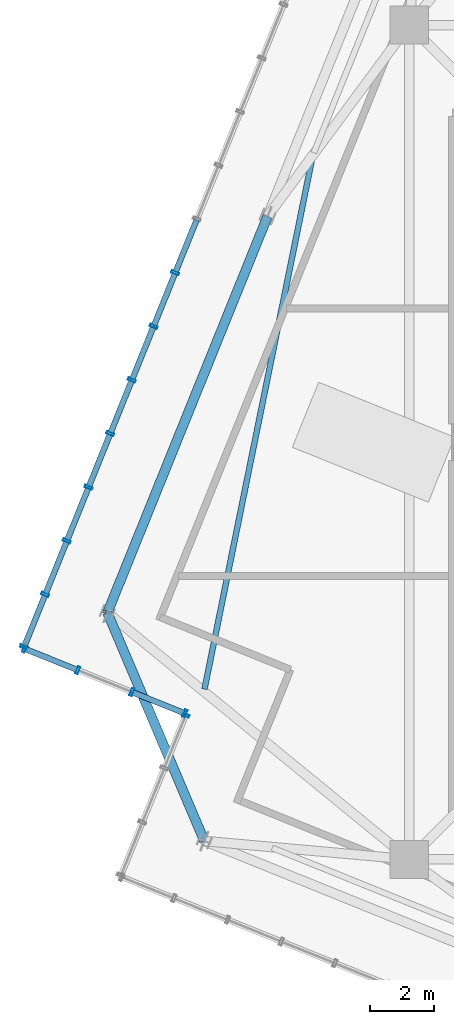
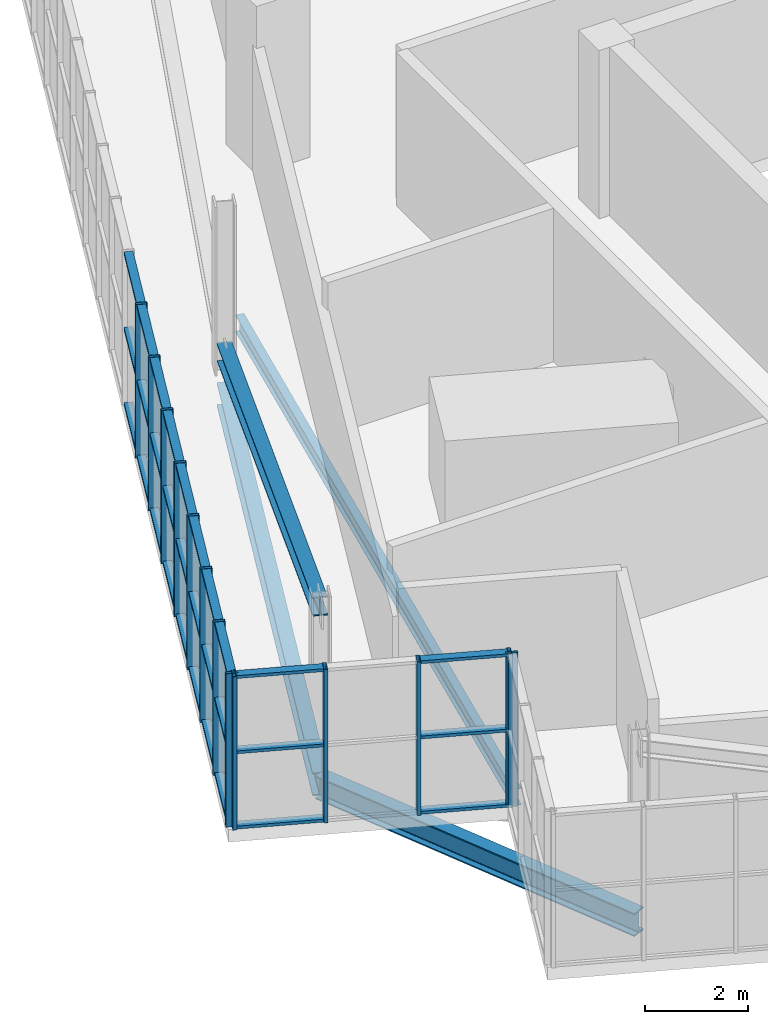
# One storey, part 6 of 26: 44 members, 3 beams, 3 elements without a shape of their own.
"""IFC4 building model written with IfcOpenShell, lengths in metres."""

from ifc_helpers import new_model, si_unit, direction, frame, origin, origin_2d, place, context, subcontext, project, spatial, hollow_rectangle, i_section, extrude, source, transform, mapped, material, layer, layer_set, material_profile, profile_set, type_object, element, aggregate, save


model = new_model("IFC4")

# Units and contexts
model_context = context("Model", 3, precision=1e-05, world=origin(), true_north=direction((0.0, 1.0)))
body_context = subcontext(model_context, "Body", "Model", "MODEL_VIEW")
ifc_project = project(units=[si_unit("LENGTHUNIT", "METRE"), si_unit("AREAUNIT", "SQUARE_METRE"), si_unit("VOLUMEUNIT", "CUBIC_METRE"), si_unit("PLANEANGLEUNIT", "RADIAN"), si_unit("MASSUNIT", "GRAM", prefix="KILO"), si_unit("THERMODYNAMICTEMPERATUREUNIT", "KELVIN")], contexts=[model_context])

# Site, building, storey
site_placement = place(None, origin())
site = spatial("IfcSite", under=ifc_project, at=site_placement, CompositionType="ELEMENT")
building_placement = place(site_placement, origin())
building = spatial("IfcBuilding", under=site, at=building_placement, Name="Kosmvard Interchange Tower", CompositionType="ELEMENT")
storey_placement = place(building_placement, frame((0.0, 0.0, 341.60009765625)))
storey = spatial("IfcBuildingStorey", under=building, at=storey_placement, Name="L84", CompositionType="ELEMENT", Elevation=341.60009765625)

# Member
ifc_material_1 = material(Name="Steel S355", Category="steel")
ifc_material_profile_1 = material_profile(ifc_material_1, i_section(OverallWidth=0.300048828125, OverallDepth=0.39990234375, WebThickness=0.013427734375, FlangeThickness=0.02392578125, FilletRadius=0.027099609375, at=origin_2d()), Name="HEB 400")
ifc_profile_set_1 = profile_set([ifc_material_profile_1], Name="Steel S355")
member_type_1 = type_object("IfcMemberType", Name="Lantern Crown Diagrid Brace HEB 400 S355", PredefinedType="BRACE", material=ifc_profile_set_1)
shared_shape_1 = source(origin(), body_context, "Body", "SweptSolid", [
    extrude(i_section(OverallWidth=0.300048828125, OverallDepth=0.39990234375, WebThickness=0.013427734375, FlangeThickness=0.02392578125, FilletRadius=0.027099609375, at=origin_2d()), origin(), (0.0, 0.0, 1.0), 13.783935546875),
])
member_1_placement = place(storey_placement, frame((-17.523681640625, 7.080078125, 0.419921875), z_axis=(-0.364177999122, -0.901367558742, 0.234330768366), x_axis=(0.927183187789, -0.374608243744, 0.0)))
element("IfcMember", 1, at=member_1_placement, inside=storey, type_object=member_type_1, Name="L84 Crown Lantern Diagrid Brace N2", PredefinedType="BRACE", context=body_context, shape_type="MappedRepresentation", body=[
    mapped(shared_shape_1, transform((0.0, 0.0, 0.0), scale=1.0)),
])

# Beams
ifc_material_profile_2 = material_profile(ifc_material_1, i_section(OverallWidth=0.300048828125, OverallDepth=0.550048828125, WebThickness=0.014892578125, FlangeThickness=0.029052734375, FilletRadius=0.027099609375, at=origin_2d()), Name="HEB 550")
ifc_profile_set_2 = profile_set([ifc_material_profile_2], Name="Steel S355")
beam_type_1 = type_object("IfcBeamType", Name="Crown Ring Cap Girder HEB 550 S355", PredefinedType="BEAM", material=ifc_profile_set_2)
shared_shape_2 = source(origin(), body_context, "Body", "SweptSolid", [
    extrude(i_section(OverallWidth=0.300048828125, OverallDepth=0.550048828125, WebThickness=0.014892578125, FlangeThickness=0.029052734375, FilletRadius=0.027099609375, at=origin_2d()), origin(), (0.0, 0.0, 1.0), 13.400146484375),
])
beam_1_placement = place(storey_placement, frame((-17.523681640625, 7.080078125, -0.5751953125), z_axis=(-0.374608243744, -0.927183187789, 0.0), x_axis=(0.927183187789, -0.374608243744, 0.0)))
element("IfcBeam", 2, at=beam_1_placement, inside=storey, type_object=beam_type_1, Name="BM-L84-PR08", PredefinedType="BEAM", context=body_context, shape_type="MappedRepresentation", body=[
    mapped(shared_shape_2, transform((0.0, 0.0, 0.0), scale=1.0)),
])
shared_shape_3 = source(origin(), body_context, "Body", "SweptSolid", [
    extrude(i_section(OverallWidth=0.300048828125, OverallDepth=0.550048828125, WebThickness=0.014892578125, FlangeThickness=0.029052734375, FilletRadius=0.027099609375, at=origin_2d()), origin(), (0.0, 0.0, 1.0), 7.778076171875),
])
beam_2_placement = place(storey_placement, frame((-22.54345703125, -5.34423828125, -0.5751953125), z_axis=(0.39071589075, -0.92051132134, 0.0), x_axis=(0.92051132134, 0.39071589075, 0.0)))
element("IfcBeam", 3, at=beam_2_placement, inside=storey, type_object=beam_type_1, Name="BM-L84-PR09", PredefinedType="BEAM", context=body_context, shape_type="MappedRepresentation", body=[
    mapped(shared_shape_3, transform((0.0, 0.0, 0.0), scale=1.0)),
])
ifc_material_profile_3 = material_profile(ifc_material_1, i_section(OverallWidth=0.179931640625, OverallDepth=0.39990234375, WebThickness=0.008544921875, FlangeThickness=0.013427734375, FilletRadius=0.02099609375, at=origin_2d()), Name="IPE 400")
ifc_profile_set_3 = profile_set([ifc_material_profile_3], Name="Steel S355")
beam_type_2 = type_object("IfcBeamType", Name="Upper-Zone Floor Joist IPE 400 S355", PredefinedType="JOIST", material=ifc_profile_set_3)
shared_shape_4 = source(origin(), body_context, "Body", "SweptSolid", [
    extrude(i_section(OverallWidth=0.179931640625, OverallDepth=0.39990234375, WebThickness=0.008544921875, FlangeThickness=0.013427734375, FilletRadius=0.02099609375, at=origin_2d()), origin(), (0.0, 0.0, 1.0), 17.0029296875),
])
beam_3_placement = place(storey_placement, frame((-16.117919921875, 8.921875, -0.5), z_axis=(-0.198882162837, -0.98002341059, 0.0), x_axis=(0.98002341059, -0.198882162837, 0.0)))
element("IfcBeam", 4, at=beam_3_placement, inside=storey, type_object=beam_type_2, Name="BM-L84-FJ06", PredefinedType="JOIST", context=body_context, shape_type="MappedRepresentation", body=[
    mapped(shared_shape_4, transform((0.0, 0.0, 0.0), scale=1.0)),
])

# Curtain wall, members
ifc_material_2 = material(Name="Architectural anodised aluminium", Category="aluminium")
ifc_layer = layer(ifc_material_2, 0.25, Name="Architectural anodised aluminium")
ifc_layer_set = layer_set([ifc_layer], Name="Architectural anodised aluminium")
curtain_wall_type = type_object("IfcCurtainWallType", Name="CW-6 Illuminated Crown Lantern Curtain Wall", PredefinedType="NOTDEFINED", material=ifc_layer_set)
curtain_wall_1_placement = place(storey_placement, origin())
curtain_wall_1 = element("IfcCurtainWall", 5, at=curtain_wall_1_placement, inside=storey, type_object=curtain_wall_type, Name="L84 Crown Lantern Glazing Face 07", PredefinedType="NOTDEFINED")
ifc_material_profile_4 = material_profile(ifc_material_2, hollow_rectangle(XDim=0.179931640625, YDim=0.070068359375, WallThickness=0.0048828125, at=origin_2d()), Name="CWT 180x70x5")
ifc_profile_set_4 = profile_set([ifc_material_profile_4], Name="Architectural anodised aluminium")
member_type_2 = type_object("IfcMemberType", Name="Heavy Lantern CW Transom 180x70 Aluminium", PredefinedType="USERDEFINED", material=ifc_profile_set_4)
shared_shape_5 = source(origin(), body_context, "Body", "SweptSolid", [
    extrude(hollow_rectangle(XDim=0.179931640625, YDim=0.070068359375, WallThickness=0.0048828125, at=origin_2d()), origin(), (0.0, 0.0, 1.0), 1.694091796875),
])
member_2_placement = place(storey_placement, frame((-24.508544921875, -4.8154296875, 0.034912109375), z_axis=(-0.374544061831, -0.927209116514, 0.0), x_axis=(0.927209116514, -0.374544061831, 0.0)))
member_2 = element("IfcMember", 6, at=member_2_placement, type_object=member_type_2, Name="CW-6 transom 17.1", ObjectType="TRANSOM", PredefinedType="USERDEFINED", context=body_context, shape_type="MappedRepresentation", body=[
    mapped(shared_shape_5, transform((0.0, 0.0, 0.0), scale=1.0)),
])
member_3_placement = place(storey_placement, frame((-24.508544921875, -4.8154296875, 1.824951171875), z_axis=(-0.374544061831, -0.927209116514, 0.0), x_axis=(0.927209116514, -0.374544061831, 0.0)))
member_3 = element("IfcMember", 7, at=member_3_placement, type_object=member_type_2, Name="CW-6 transom 17.2", ObjectType="TRANSOM", PredefinedType="USERDEFINED", context=body_context, shape_type="MappedRepresentation", body=[
    mapped(shared_shape_5, transform((0.0, 0.0, 0.0), scale=1.0)),
])
member_4_placement = place(storey_placement, frame((-24.508544921875, -4.8154296875, 3.614990234375), z_axis=(-0.374544061831, -0.927209116514, 0.0), x_axis=(0.927209116514, -0.374544061831, 0.0)))
member_4 = element("IfcMember", 8, at=member_4_placement, type_object=member_type_2, Name="CW-6 transom 17.3", ObjectType="TRANSOM", PredefinedType="USERDEFINED", context=body_context, shape_type="MappedRepresentation", body=[
    mapped(shared_shape_5, transform((0.0, 0.0, 0.0), scale=1.0)),
])
shared_shape_6 = source(origin(), body_context, "Body", "SweptSolid", [
    extrude(hollow_rectangle(XDim=0.179931640625, YDim=0.070068359375, WallThickness=0.0048828125, at=origin_2d()), origin(), (0.0, 0.0, 1.0), 1.734130859375),
])
member_5_placement = place(storey_placement, frame((-19.75146484375, 6.958740234375, 0.034912109375), z_axis=(-0.374616671924, -0.927179782522, 0.0), x_axis=(0.927179782522, -0.374616671924, 0.0)))
member_5 = element("IfcMember", 9, at=member_5_placement, type_object=member_type_2, Name="CW-6 transom 10.1", ObjectType="TRANSOM", PredefinedType="USERDEFINED", context=body_context, shape_type="MappedRepresentation", body=[
    mapped(shared_shape_6, transform((0.0, 0.0, 0.0), scale=1.0)),
])
member_6_placement = place(storey_placement, frame((-19.75146484375, 6.958740234375, 1.824951171875), z_axis=(-0.374616671924, -0.927179782522, 0.0), x_axis=(0.927179782522, -0.374616671924, 0.0)))
member_6 = element("IfcMember", 10, at=member_6_placement, type_object=member_type_2, Name="CW-6 transom 10.2", ObjectType="TRANSOM", PredefinedType="USERDEFINED", context=body_context, shape_type="MappedRepresentation", body=[
    mapped(shared_shape_6, transform((0.0, 0.0, 0.0), scale=1.0)),
])
member_7_placement = place(storey_placement, frame((-19.75146484375, 6.958740234375, 3.614990234375), z_axis=(-0.374616671924, -0.927179782522, 0.0), x_axis=(0.927179782522, -0.374616671924, 0.0)))
member_7 = element("IfcMember", 11, at=member_7_placement, type_object=member_type_2, Name="CW-6 transom 10.3", ObjectType="TRANSOM", PredefinedType="USERDEFINED", context=body_context, shape_type="MappedRepresentation", body=[
    mapped(shared_shape_6, transform((0.0, 0.0, 0.0), scale=1.0)),
])
member_8_placement = place(storey_placement, frame((-20.43115234375, 5.276611328125, 0.034912109375), z_axis=(-0.374495638732, -0.927228675447, 0.0), x_axis=(0.927228675447, -0.374495638732, 0.0)))
member_8 = element("IfcMember", 12, at=member_8_placement, type_object=member_type_2, Name="CW-6 transom 11.1", ObjectType="TRANSOM", PredefinedType="USERDEFINED", context=body_context, shape_type="MappedRepresentation", body=[
    mapped(shared_shape_6, transform((0.0, 0.0, 0.0), scale=1.0)),
])
member_9_placement = place(storey_placement, frame((-20.43115234375, 5.276611328125, 1.824951171875), z_axis=(-0.374495638732, -0.927228675447, 0.0), x_axis=(0.927228675447, -0.374495638732, 0.0)))
member_9 = element("IfcMember", 13, at=member_9_placement, type_object=member_type_2, Name="CW-6 transom 11.2", ObjectType="TRANSOM", PredefinedType="USERDEFINED", context=body_context, shape_type="MappedRepresentation", body=[
    mapped(shared_shape_6, transform((0.0, 0.0, 0.0), scale=1.0)),
])
member_10_placement = place(storey_placement, frame((-20.43115234375, 5.276611328125, 3.614990234375), z_axis=(-0.374495638732, -0.927228675447, 0.0), x_axis=(0.927228675447, -0.374495638732, 0.0)))
member_10 = element("IfcMember", 14, at=member_10_placement, type_object=member_type_2, Name="CW-6 transom 11.3", ObjectType="TRANSOM", PredefinedType="USERDEFINED", context=body_context, shape_type="MappedRepresentation", body=[
    mapped(shared_shape_6, transform((0.0, 0.0, 0.0), scale=1.0)),
])
member_11_placement = place(storey_placement, frame((-21.110595703125, 3.5947265625, 0.034912109375), z_axis=(-0.374616671924, -0.927179782522, 0.0), x_axis=(0.927179782522, -0.374616671924, 0.0)))
member_11 = element("IfcMember", 15, at=member_11_placement, type_object=member_type_2, Name="CW-6 transom 12.1", ObjectType="TRANSOM", PredefinedType="USERDEFINED", context=body_context, shape_type="MappedRepresentation", body=[
    mapped(shared_shape_6, transform((0.0, 0.0, 0.0), scale=1.0)),
])
member_12_placement = place(storey_placement, frame((-21.110595703125, 3.5947265625, 1.824951171875), z_axis=(-0.374616671924, -0.927179782522, 0.0), x_axis=(0.927179782522, -0.374616671924, 0.0)))
member_12 = element("IfcMember", 16, at=member_12_placement, type_object=member_type_2, Name="CW-6 transom 12.2", ObjectType="TRANSOM", PredefinedType="USERDEFINED", context=body_context, shape_type="MappedRepresentation", body=[
    mapped(shared_shape_6, transform((0.0, 0.0, 0.0), scale=1.0)),
])
member_13_placement = place(storey_placement, frame((-21.110595703125, 3.5947265625, 3.614990234375), z_axis=(-0.374616671924, -0.927179782522, 0.0), x_axis=(0.927179782522, -0.374616671924, 0.0)))
member_13 = element("IfcMember", 17, at=member_13_placement, type_object=member_type_2, Name="CW-6 transom 12.3", ObjectType="TRANSOM", PredefinedType="USERDEFINED", context=body_context, shape_type="MappedRepresentation", body=[
    mapped(shared_shape_6, transform((0.0, 0.0, 0.0), scale=1.0)),
])
member_14_placement = place(storey_placement, frame((-21.790283203125, 1.91259765625, 0.034912109375), z_axis=(-0.374495638732, -0.927228675447, 0.0), x_axis=(0.927228675447, -0.374495638732, 0.0)))
member_14 = element("IfcMember", 18, at=member_14_placement, type_object=member_type_2, Name="CW-6 transom 13.1", ObjectType="TRANSOM", PredefinedType="USERDEFINED", context=body_context, shape_type="MappedRepresentation", body=[
    mapped(shared_shape_6, transform((0.0, 0.0, 0.0), scale=1.0)),
])
member_15_placement = place(storey_placement, frame((-21.790283203125, 1.91259765625, 1.824951171875), z_axis=(-0.374495638732, -0.927228675447, 0.0), x_axis=(0.927228675447, -0.374495638732, 0.0)))
member_15 = element("IfcMember", 19, at=member_15_placement, type_object=member_type_2, Name="CW-6 transom 13.2", ObjectType="TRANSOM", PredefinedType="USERDEFINED", context=body_context, shape_type="MappedRepresentation", body=[
    mapped(shared_shape_6, transform((0.0, 0.0, 0.0), scale=1.0)),
])
member_16_placement = place(storey_placement, frame((-21.790283203125, 1.91259765625, 3.614990234375), z_axis=(-0.374495638732, -0.927228675447, 0.0), x_axis=(0.927228675447, -0.374495638732, 0.0)))
member_16 = element("IfcMember", 20, at=member_16_placement, type_object=member_type_2, Name="CW-6 transom 13.3", ObjectType="TRANSOM", PredefinedType="USERDEFINED", context=body_context, shape_type="MappedRepresentation", body=[
    mapped(shared_shape_6, transform((0.0, 0.0, 0.0), scale=1.0)),
])
member_17_placement = place(storey_placement, frame((-23.1494140625, -1.451416015625, 0.034912109375), z_axis=(-0.374616671924, -0.927179782522, 0.0), x_axis=(0.927179782522, -0.374616671924, 0.0)))
member_17 = element("IfcMember", 21, at=member_17_placement, type_object=member_type_2, Name="CW-6 transom 15.1", ObjectType="TRANSOM", PredefinedType="USERDEFINED", context=body_context, shape_type="MappedRepresentation", body=[
    mapped(shared_shape_6, transform((0.0, 0.0, 0.0), scale=1.0)),
])
member_18_placement = place(storey_placement, frame((-23.1494140625, -1.451416015625, 1.824951171875), z_axis=(-0.374616671924, -0.927179782522, 0.0), x_axis=(0.927179782522, -0.374616671924, 0.0)))
member_18 = element("IfcMember", 22, at=member_18_placement, type_object=member_type_2, Name="CW-6 transom 15.2", ObjectType="TRANSOM", PredefinedType="USERDEFINED", context=body_context, shape_type="MappedRepresentation", body=[
    mapped(shared_shape_6, transform((0.0, 0.0, 0.0), scale=1.0)),
])
member_19_placement = place(storey_placement, frame((-23.1494140625, -1.451416015625, 3.614990234375), z_axis=(-0.374616671924, -0.927179782522, 0.0), x_axis=(0.927179782522, -0.374616671924, 0.0)))
member_19 = element("IfcMember", 23, at=member_19_placement, type_object=member_type_2, Name="CW-6 transom 15.3", ObjectType="TRANSOM", PredefinedType="USERDEFINED", context=body_context, shape_type="MappedRepresentation", body=[
    mapped(shared_shape_6, transform((0.0, 0.0, 0.0), scale=1.0)),
])
shared_shape_7 = source(origin(), body_context, "Body", "SweptSolid", [
    extrude(hollow_rectangle(XDim=0.179931640625, YDim=0.070068359375, WallThickness=0.0048828125, at=origin_2d()), origin(), (0.0, 0.0, 1.0), 1.73388671875),
])
member_20_placement = place(storey_placement, frame((-22.4697265625, 0.23046875, 0.034912109375), z_axis=(-0.374665576032, -0.927160021861, 0.0), x_axis=(0.927160021861, -0.374665576032, 0.0)))
member_20 = element("IfcMember", 24, at=member_20_placement, type_object=member_type_2, Name="CW-6 transom 14.1", ObjectType="TRANSOM", PredefinedType="USERDEFINED", context=body_context, shape_type="MappedRepresentation", body=[
    mapped(shared_shape_7, transform((0.0, 0.0, 0.0), scale=1.0)),
])
member_21_placement = place(storey_placement, frame((-22.4697265625, 0.23046875, 1.824951171875), z_axis=(-0.374665576032, -0.927160021861, 0.0), x_axis=(0.927160021861, -0.374665576032, 0.0)))
member_21 = element("IfcMember", 25, at=member_21_placement, type_object=member_type_2, Name="CW-6 transom 14.2", ObjectType="TRANSOM", PredefinedType="USERDEFINED", context=body_context, shape_type="MappedRepresentation", body=[
    mapped(shared_shape_7, transform((0.0, 0.0, 0.0), scale=1.0)),
])
member_22_placement = place(storey_placement, frame((-22.4697265625, 0.23046875, 3.614990234375), z_axis=(-0.374665576032, -0.927160021861, 0.0), x_axis=(0.927160021861, -0.374665576032, 0.0)))
member_22 = element("IfcMember", 26, at=member_22_placement, type_object=member_type_2, Name="CW-6 transom 14.3", ObjectType="TRANSOM", PredefinedType="USERDEFINED", context=body_context, shape_type="MappedRepresentation", body=[
    mapped(shared_shape_7, transform((0.0, 0.0, 0.0), scale=1.0)),
])
member_23_placement = place(storey_placement, frame((-23.828857421875, -3.133544921875, 0.034912109375), z_axis=(-0.374665576032, -0.927160021861, 0.0), x_axis=(0.927160021861, -0.374665576032, 0.0)))
member_23 = element("IfcMember", 27, at=member_23_placement, type_object=member_type_2, Name="CW-6 transom 16.1", ObjectType="TRANSOM", PredefinedType="USERDEFINED", context=body_context, shape_type="MappedRepresentation", body=[
    mapped(shared_shape_7, transform((0.0, 0.0, 0.0), scale=1.0)),
])
member_24_placement = place(storey_placement, frame((-23.828857421875, -3.133544921875, 1.824951171875), z_axis=(-0.374665576032, -0.927160021861, 0.0), x_axis=(0.927160021861, -0.374665576032, 0.0)))
member_24 = element("IfcMember", 28, at=member_24_placement, type_object=member_type_2, Name="CW-6 transom 16.2", ObjectType="TRANSOM", PredefinedType="USERDEFINED", context=body_context, shape_type="MappedRepresentation", body=[
    mapped(shared_shape_7, transform((0.0, 0.0, 0.0), scale=1.0)),
])
member_25_placement = place(storey_placement, frame((-23.828857421875, -3.133544921875, 3.614990234375), z_axis=(-0.374665576032, -0.927160021861, 0.0), x_axis=(0.927160021861, -0.374665576032, 0.0)))
member_25 = element("IfcMember", 29, at=member_25_placement, type_object=member_type_2, Name="CW-6 transom 16.3", ObjectType="TRANSOM", PredefinedType="USERDEFINED", context=body_context, shape_type="MappedRepresentation", body=[
    mapped(shared_shape_7, transform((0.0, 0.0, 0.0), scale=1.0)),
])

curtain_wall_2_placement = place(storey_placement, origin())
curtain_wall_2 = element("IfcCurtainWall", 30, at=curtain_wall_2_placement, inside=storey, type_object=curtain_wall_type, Name="L84 Crown Lantern Glazing Face 08", PredefinedType="NOTDEFINED")
shared_shape_8 = source(origin(), body_context, "Body", "SweptSolid", [
    extrude(hollow_rectangle(XDim=0.179931640625, YDim=0.070068359375, WallThickness=0.0048828125, at=origin_2d()), origin(), (0.0, 0.0, 1.0), 1.71337890625),
])
member_26_placement = place(storey_placement, frame((-25.098876953125, -6.490478515625, 0.034912109375), z_axis=(0.927233273404, -0.374484254265, 0.0), x_axis=(0.374484254265, 0.927233273404, 0.0)))
member_26 = element("IfcMember", 31, at=member_26_placement, type_object=member_type_2, Name="CW-6 transom 1.1", ObjectType="TRANSOM", PredefinedType="USERDEFINED", context=body_context, shape_type="MappedRepresentation", body=[
    mapped(shared_shape_8, transform((0.0, 0.0, 0.0), scale=1.0)),
])
member_27_placement = place(storey_placement, frame((-25.098876953125, -6.490478515625, 1.824951171875), z_axis=(0.927233273404, -0.374484254265, 0.0), x_axis=(0.374484254265, 0.927233273404, 0.0)))
member_27 = element("IfcMember", 32, at=member_27_placement, type_object=member_type_2, Name="CW-6 transom 1.2", ObjectType="TRANSOM", PredefinedType="USERDEFINED", context=body_context, shape_type="MappedRepresentation", body=[
    mapped(shared_shape_8, transform((0.0, 0.0, 0.0), scale=1.0)),
])
member_28_placement = place(storey_placement, frame((-25.098876953125, -6.490478515625, 3.614990234375), z_axis=(0.927233273404, -0.374484254265, 0.0), x_axis=(0.374484254265, 0.927233273404, 0.0)))
member_28 = element("IfcMember", 33, at=member_28_placement, type_object=member_type_2, Name="CW-6 transom 1.3", ObjectType="TRANSOM", PredefinedType="USERDEFINED", context=body_context, shape_type="MappedRepresentation", body=[
    mapped(shared_shape_8, transform((0.0, 0.0, 0.0), scale=1.0)),
])
member_29_placement = place(storey_placement, frame((-21.736328125, -7.848876953125, 0.034912109375), z_axis=(0.927183787829, -0.374606758599, 0.0), x_axis=(0.374606758599, 0.927183787829, 0.0)))
member_29 = element("IfcMember", 34, at=member_29_placement, type_object=member_type_2, Name="CW-6 transom 3.1", ObjectType="TRANSOM", PredefinedType="USERDEFINED", context=body_context, shape_type="MappedRepresentation", body=[
    mapped(shared_shape_8, transform((0.0, 0.0, 0.0), scale=1.0)),
])
member_30_placement = place(storey_placement, frame((-21.736328125, -7.848876953125, 1.824951171875), z_axis=(0.927183787829, -0.374606758599, 0.0), x_axis=(0.374606758599, 0.927183787829, 0.0)))
member_30 = element("IfcMember", 35, at=member_30_placement, type_object=member_type_2, Name="CW-6 transom 3.2", ObjectType="TRANSOM", PredefinedType="USERDEFINED", context=body_context, shape_type="MappedRepresentation", body=[
    mapped(shared_shape_8, transform((0.0, 0.0, 0.0), scale=1.0)),
])
member_31_placement = place(storey_placement, frame((-21.736328125, -7.848876953125, 3.614990234375), z_axis=(0.927183787829, -0.374606758599, 0.0), x_axis=(0.374606758599, 0.927183787829, 0.0)))
member_31 = element("IfcMember", 36, at=member_31_placement, type_object=member_type_2, Name="CW-6 transom 3.3", ObjectType="TRANSOM", PredefinedType="USERDEFINED", context=body_context, shape_type="MappedRepresentation", body=[
    mapped(shared_shape_8, transform((0.0, 0.0, 0.0), scale=1.0)),
])

# Member
ifc_material_profile_5 = material_profile(ifc_material_2, hollow_rectangle(XDim=0.239990234375, YDim=0.080078125, WallThickness=0.006103515625, at=origin_2d()), Name="CWM 240x80x6")
ifc_profile_set_5 = profile_set([ifc_material_profile_5], Name="Architectural anodised aluminium")
member_type_3 = type_object("IfcMemberType", Name="Lantern & Observation CW Mullion 240x80 Aluminium", PredefinedType="MULLION", material=ifc_profile_set_5)
shared_shape_9 = source(origin(), body_context, "Body", "SweptSolid", [
    extrude(hollow_rectangle(XDim=0.239990234375, YDim=0.080078125, WallThickness=0.006103515625, at=origin_2d()), origin(), (0.0, 0.0, 1.0), 3.64990234375),
])
member_32_placement = place(storey_placement, frame((-20.416015625, 5.313720703125, 0.0), z_axis=(0.0, 0.0, 1.0), x_axis=(0.927183858065, -0.374606584758, 0.0)))
member_32 = element("IfcMember", 37, at=member_32_placement, type_object=member_type_3, Name="CW-6 mullion 11", PredefinedType="MULLION", context=body_context, shape_type="MappedRepresentation", body=[
    mapped(shared_shape_9, transform((0.0, 0.0, 0.0), scale=1.0)),
])

member_33_placement = place(storey_placement, frame((-21.095703125, 3.6318359375, 0.0), z_axis=(0.0, 0.0, 1.0), x_axis=(0.927183858065, -0.374606584758, 0.0)))
member_33 = element("IfcMember", 38, at=member_33_placement, type_object=member_type_3, Name="CW-6 mullion 12", PredefinedType="MULLION", context=body_context, shape_type="MappedRepresentation", body=[
    mapped(shared_shape_9, transform((0.0, 0.0, 0.0), scale=1.0)),
])

member_34_placement = place(storey_placement, frame((-21.775146484375, 1.94970703125, 0.0), z_axis=(0.0, 0.0, 1.0), x_axis=(0.927183858065, -0.374606584758, 0.0)))
member_34 = element("IfcMember", 39, at=member_34_placement, type_object=member_type_3, Name="CW-6 mullion 13", PredefinedType="MULLION", context=body_context, shape_type="MappedRepresentation", body=[
    mapped(shared_shape_9, transform((0.0, 0.0, 0.0), scale=1.0)),
])

member_35_placement = place(storey_placement, frame((-22.454833984375, 0.267578125, 0.0), z_axis=(0.0, 0.0, 1.0), x_axis=(0.927183858065, -0.374606584758, 0.0)))
member_35 = element("IfcMember", 40, at=member_35_placement, type_object=member_type_3, Name="CW-6 mullion 14", PredefinedType="MULLION", context=body_context, shape_type="MappedRepresentation", body=[
    mapped(shared_shape_9, transform((0.0, 0.0, 0.0), scale=1.0)),
])

member_36_placement = place(storey_placement, frame((-23.13427734375, -1.414306640625, 0.0), z_axis=(0.0, 0.0, 1.0), x_axis=(0.927183858065, -0.374606584758, 0.0)))
member_36 = element("IfcMember", 41, at=member_36_placement, type_object=member_type_3, Name="CW-6 mullion 15", PredefinedType="MULLION", context=body_context, shape_type="MappedRepresentation", body=[
    mapped(shared_shape_9, transform((0.0, 0.0, 0.0), scale=1.0)),
])

member_37_placement = place(storey_placement, frame((-23.81396484375, -3.096435546875, 0.0), z_axis=(0.0, 0.0, 1.0), x_axis=(0.927183858065, -0.374606584758, 0.0)))
member_37 = element("IfcMember", 42, at=member_37_placement, type_object=member_type_3, Name="CW-6 mullion 16", PredefinedType="MULLION", context=body_context, shape_type="MappedRepresentation", body=[
    mapped(shared_shape_9, transform((0.0, 0.0, 0.0), scale=1.0)),
])

member_38_placement = place(storey_placement, frame((-24.49365234375, -4.7783203125, 0.0), z_axis=(0.0, 0.0, 1.0), x_axis=(0.927183858065, -0.374606584758, 0.0)))
member_38 = element("IfcMember", 43, at=member_38_placement, type_object=member_type_3, Name="CW-6 mullion 17", PredefinedType="MULLION", context=body_context, shape_type="MappedRepresentation", body=[
    mapped(shared_shape_9, transform((0.0, 0.0, 0.0), scale=1.0)),
])

member_39_placement = place(storey_placement, frame((-25.158203125, -6.42333984375, 0.0), z_axis=(0.0, 0.0, 1.0), x_axis=(0.927183858065, -0.374606584758, 0.0)))
member_39 = element("IfcMember", 44, at=member_39_placement, type_object=member_type_3, Name="CW-6 mullion 18", PredefinedType="MULLION", context=body_context, shape_type="MappedRepresentation", body=[
    mapped(shared_shape_9, transform((0.0, 0.0, 0.0), scale=1.0)),
])

aggregate(curtain_wall_1, [member_32, member_33, member_34, member_35, member_36, member_37, member_38, member_39, member_5, member_6, member_7, member_8, member_9, member_10, member_11, member_12, member_13, member_14, member_15, member_16, member_20, member_21, member_22, member_17, member_18, member_19, member_23, member_24, member_25, member_2, member_3, member_4])

member_40_placement = place(storey_placement, frame((-25.135986328125, -6.475341796875, 0.0), z_axis=(0.0, 0.0, 1.0), x_axis=(0.374606564822, 0.92718386612, 0.0)))
member_40 = element("IfcMember", 45, at=member_40_placement, type_object=member_type_3, Name="CW-6 mullion 1", PredefinedType="MULLION", context=body_context, shape_type="MappedRepresentation", body=[
    mapped(shared_shape_9, transform((0.0, 0.0, 0.0), scale=1.0)),
])

member_41_placement = place(storey_placement, frame((-23.473388671875, -7.147216796875, 0.0), z_axis=(0.0, 0.0, 1.0), x_axis=(0.374606564822, 0.92718386612, 0.0)))
member_41 = element("IfcMember", 46, at=member_41_placement, type_object=member_type_3, Name="CW-6 mullion 2", PredefinedType="MULLION", context=body_context, shape_type="MappedRepresentation", body=[
    mapped(shared_shape_9, transform((0.0, 0.0, 0.0), scale=1.0)),
])

member_42_placement = place(storey_placement, frame((-21.7734375, -7.833984375, 0.0), z_axis=(0.0, 0.0, 1.0), x_axis=(0.374606564822, 0.92718386612, 0.0)))
member_42 = element("IfcMember", 47, at=member_42_placement, type_object=member_type_3, Name="CW-6 mullion 3", PredefinedType="MULLION", context=body_context, shape_type="MappedRepresentation", body=[
    mapped(shared_shape_9, transform((0.0, 0.0, 0.0), scale=1.0)),
])

member_43_placement = place(storey_placement, frame((-20.110595703125, -8.505859375, 0.0), z_axis=(0.0, 0.0, 1.0), x_axis=(0.374606564822, 0.92718386612, 0.0)))
member_43 = element("IfcMember", 48, at=member_43_placement, type_object=member_type_3, Name="CW-6 mullion 4", PredefinedType="MULLION", context=body_context, shape_type="MappedRepresentation", body=[
    mapped(shared_shape_9, transform((0.0, 0.0, 0.0), scale=1.0)),
])

aggregate(curtain_wall_2, [member_40, member_41, member_42, member_43, member_26, member_27, member_28, member_29, member_30, member_31])

# Curtain wall, member
curtain_wall_3_placement = place(storey_placement, origin())
curtain_wall_3 = element("IfcCurtainWall", 49, at=curtain_wall_3_placement, inside=storey, type_object=curtain_wall_type, Name="L84 Crown Lantern Glazing Face 09", PredefinedType="NOTDEFINED")
member_44_placement = place(storey_placement, frame((-20.088623046875, -8.557861328125, 0.0), z_axis=(0.0, 0.0, 1.0), x_axis=(0.927183891631, -0.374606501678, 0.0)))
member_44 = element("IfcMember", 50, at=member_44_placement, type_object=member_type_3, Name="CW-6 mullion 1", PredefinedType="MULLION", context=body_context, shape_type="MappedRepresentation", body=[
    mapped(shared_shape_9, transform((0.0, 0.0, 0.0), scale=1.0)),
])
aggregate(curtain_wall_3, [member_44])

save(model, "model.ifc")
